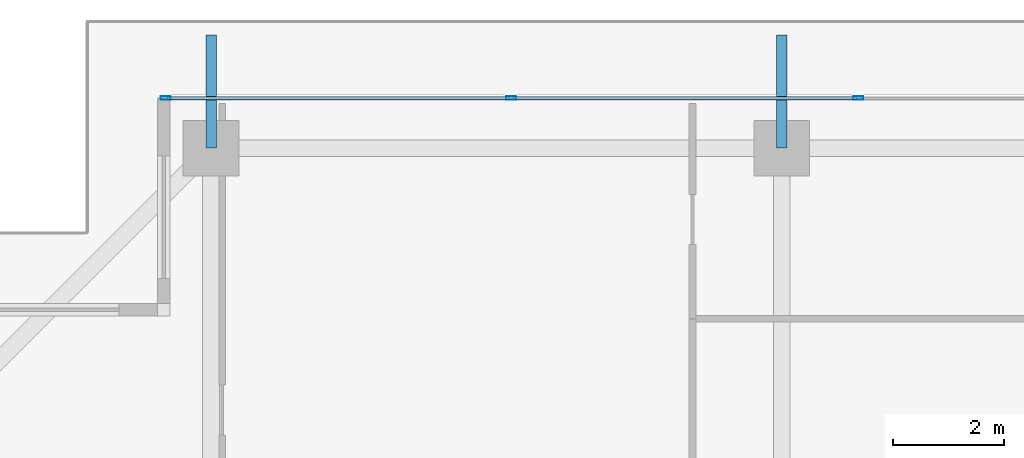
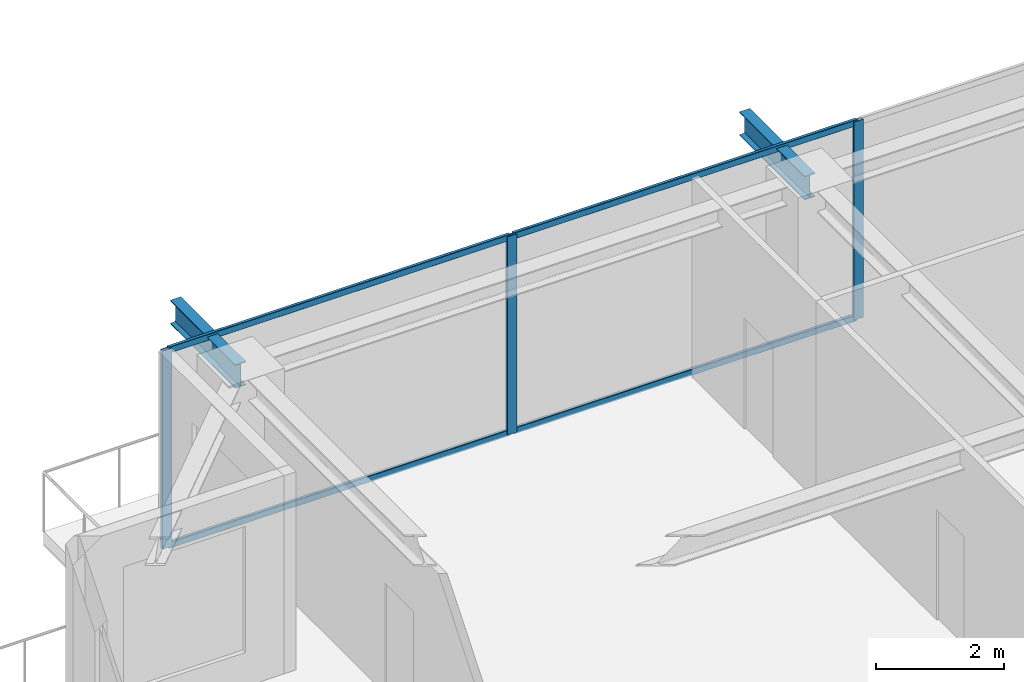
# One storey, part 23 of 42: 7 members, 2 beams, 1 element without a shape of its own.
"""IFC4 building model written with IfcOpenShell, lengths in metres."""

import ifcopenshell
import ifcopenshell.guid

model = None  # the IFC model being written
_history = None  # IfcOwnerHistory: only IFC2X3 demands one
_inside = {}  # id of a spatial element -> (the spatial element, [elements in it])
_under = {}  # id of a project, library or spatial element -> (it, [spatial elements below it])
_declared = {}  # id of a project -> (the project, [libraries it declares])
_typed = {}  # id of a type object -> (the type object, [elements of that type])
_made_of = {}  # id of a material, layer set ... -> (it, [elements and type objects made of it])


def new_model(schema):
    """Start an empty IFC model of exactly this schema.

    Asked for "IFC4X3", IfcOpenShell would pick the latest addendum, in which some entities
    have other attributes; the version numbers below select the first issue.
    IFC2X3 requires an IfcOwnerHistory on every rooted entity: one is made here for all.
    """
    global model, _history
    if schema == "IFC4X3":
        model = ifcopenshell.file(schema_version=(4, 3, 0, 0))
    else:
        model = ifcopenshell.file(schema=schema)
    _inside.clear()
    _under.clear()
    _declared.clear()
    _typed.clear()
    _made_of.clear()
    _history = None
    if model.schema == "IFC2X3":
        org = make("IfcOrganization", Name="unknown")
        user = make(
            "IfcPersonAndOrganization",
            ThePerson=make("IfcPerson", FamilyName="unknown"),
            TheOrganization=org,
        )
        app = make(
            "IfcApplication",
            ApplicationDeveloper=org,
            Version="unknown",
            ApplicationFullName="unknown",
            ApplicationIdentifier="unknown",
        )
        _history = make(
            "IfcOwnerHistory",
            OwningUser=user,
            OwningApplication=app,
            ChangeAction="ADDED",
            CreationDate=0,
        )
    return model


def make(cls, **values):
    """One entity of the class cls with the attributes given. An attribute that is None is left unset."""
    return model.create_entity(
        cls, **{name: value for name, value in values.items() if value is not None}
    )


def rooted(cls, **values):
    """An entity with a GlobalId (a new one), such as an element, a storey or a relation."""
    return make(cls, GlobalId=ifcopenshell.guid.new(), OwnerHistory=_history, **values)


def si_unit(unit_type, name, prefix=None):
    """IfcSIUnit, for example si_unit("LENGTHUNIT", "METRE", prefix="MILLI")."""
    return make("IfcSIUnit", UnitType=unit_type, Prefix=prefix, Name=name)


def assignment(units):
    """IfcUnitAssignment: the units of a project."""
    return None if units is None else make("IfcUnitAssignment", Units=units)


def point(xyz):
    """IfcCartesianPoint."""
    return None if xyz is None else make("IfcCartesianPoint", Coordinates=xyz)


def direction(xyz):
    """IfcDirection."""
    return None if xyz is None else make("IfcDirection", DirectionRatios=xyz)


def frame(location, z_axis=None, x_axis=None):
    """IfcAxis2Placement3D, a coordinate frame: its origin and axes. An axis left out is left unset."""
    return make(
        "IfcAxis2Placement3D",
        Location=point(location),
        Axis=direction(z_axis),
        RefDirection=direction(x_axis),
    )


def frame_2d(location, x_axis=None):
    """IfcAxis2Placement2D, a coordinate frame in the plane: its origin and x axis."""
    return make(
        "IfcAxis2Placement2D", Location=point(location), RefDirection=direction(x_axis)
    )


def origin():
    """The frame at (0, 0, 0) with its axes left unset."""
    return frame((0.0, 0.0, 0.0))


def origin_2d():
    """The frame at (0, 0) in the plane with its x axis left unset."""
    return frame_2d((0.0, 0.0))


def place(relative_to, where):
    """IfcLocalPlacement: puts the frame where relative to a parent placement (None: the world)."""
    return make(
        "IfcLocalPlacement", PlacementRelTo=relative_to, RelativePlacement=where
    )


def context(
    kind, dimensions, precision=None, world=None, true_north=None, identifier=None
):
    """IfcGeometricRepresentationContext, for example the 3D "Model" context."""
    return make(
        "IfcGeometricRepresentationContext",
        ContextIdentifier=identifier,
        ContextType=kind,
        CoordinateSpaceDimension=dimensions,
        Precision=precision,
        WorldCoordinateSystem=world,
        TrueNorth=true_north,
    )


def subcontext(parent, identifier, kind, view, scale=None):
    """IfcGeometricRepresentationSubContext, for example "Body" below "Model"."""
    return make(
        "IfcGeometricRepresentationSubContext",
        ContextIdentifier=identifier,
        ContextType=kind,
        ParentContext=parent,
        TargetScale=scale,
        TargetView=view,
    )


def project(units=None, contexts=None):
    """IfcProject with its units and contexts."""
    return rooted(
        "IfcProject",
        Name="project",
        RepresentationContexts=contexts,
        UnitsInContext=assignment(units),
    )


def spatial(cls, under=None, at=None, **own):
    """A site, building, storey or space (cls), placed at a placement, below another one or the project."""
    s = rooted(cls, ObjectPlacement=at, **own)
    if under is not None:
        _under.setdefault(under.id(), (under, []))[1].append(s)
    return s


def profile(cls, at=None, kind="AREA", **sizes):
    """A parametric profile (cls). Its sizes go by their IFC names, for example OverallWidth=200.0."""
    return make(cls, ProfileType=kind, Position=at, **sizes)


def hollow_rectangle(**sizes):
    """IfcRectangleHollowProfileDef."""
    return profile("IfcRectangleHollowProfileDef", **sizes)


def i_section(**sizes):
    """IfcIShapeProfileDef."""
    return profile("IfcIShapeProfileDef", **sizes)


def extrude(swept, where, along, depth):
    """IfcExtrudedAreaSolid: the profile swept, set in the frame where, extruded along a direction by depth."""
    return make(
        "IfcExtrudedAreaSolid",
        SweptArea=swept,
        Position=where,
        ExtrudedDirection=direction(along),
        Depth=depth,
    )


def shape(context_of_items, identifier, shape_type, items):
    """IfcShapeRepresentation: the items that make up one representation, for example the "Body"."""
    return make(
        "IfcShapeRepresentation",
        ContextOfItems=context_of_items,
        RepresentationIdentifier=identifier,
        RepresentationType=shape_type,
        Items=items,
    )


def source(mapping_origin, context_of_items, identifier, shape_type, items):
    """IfcRepresentationMap: a shape defined once, which mapped items show again and again."""
    return make(
        "IfcRepresentationMap",
        MappingOrigin=mapping_origin,
        MappedRepresentation=shape(context_of_items, identifier, shape_type, items),
    )


def transform(
    local_origin,
    x_axis=None,
    y_axis=None,
    z_axis=None,
    scale=None,
    scale2=None,
    scale3=None,
    uniform=True,
):
    """IfcCartesianTransformationOperator3D, or its non-uniform kind. x_axis, y_axis, z_axis: its Axis1, 2, 3."""
    if uniform:
        return make(
            "IfcCartesianTransformationOperator3D",
            Axis1=direction(x_axis),
            Axis2=direction(y_axis),
            LocalOrigin=point(local_origin),
            Scale=scale,
            Axis3=direction(z_axis),
        )
    return make(
        "IfcCartesianTransformationOperator3DnonUniform",
        Axis1=direction(x_axis),
        Axis2=direction(y_axis),
        LocalOrigin=point(local_origin),
        Scale=scale,
        Axis3=direction(z_axis),
        Scale2=scale2,
        Scale3=scale3,
    )


def mapped(mapping_source, mapping_target):
    """IfcMappedItem: shows the shape of a source again, moved by a transform."""
    return make(
        "IfcMappedItem", MappingSource=mapping_source, MappingTarget=mapping_target
    )


def material(Name=None, Category=None):
    """IfcMaterial."""
    return make("IfcMaterial", Name=Name, Category=Category)


def layer(
    of_material, thickness, ventilated=None, Name=None, Category=None, Priority=None
):
    """IfcMaterialLayer: one layer of a wall or slab, of a material (None: an air gap)."""
    return make(
        "IfcMaterialLayer",
        Material=of_material,
        LayerThickness=thickness,
        IsVentilated=ventilated,
        Name=Name,
        Category=Category,
        Priority=Priority,
    )


def layer_set(layers, Name=None):
    """IfcMaterialLayerSet."""
    return make("IfcMaterialLayerSet", MaterialLayers=layers, LayerSetName=Name)


def material_profile(
    of_material, cross_section, Name=None, Category=None, Priority=None
):
    """IfcMaterialProfile: a cross section and its material."""
    return make(
        "IfcMaterialProfile",
        Name=Name,
        Material=of_material,
        Profile=cross_section,
        Priority=Priority,
        Category=Category,
    )


def profile_set(profiles, Name=None, composite=None):
    """IfcMaterialProfileSet."""
    return make(
        "IfcMaterialProfileSet",
        Name=Name,
        MaterialProfiles=profiles,
        CompositeProfile=composite,
    )


def made_of(thing, what):
    """Note that an element or type object is made of a material, layer set ...; save() writes the relation."""
    if what is not None:
        _made_of.setdefault(what.id(), (what, []))[1].append(thing)
    return thing


def type_object(cls, material=None, **own):
    """A type object (cls), such as IfcWallType, which elements share."""
    return made_of(rooted(cls, **own), material)


def element(
    cls,
    number,
    at=None,
    inside=None,
    cuts=None,
    type_object=None,
    material=None,
    context=None,
    identifier="Body",
    shape_type=None,
    held_by="IfcProductDefinitionShape",
    body=None,
    shapes=None,
    **own,
):
    """One element of the class cls, such as IfcWall. Its Tag is "e" and its number.

    at: its placement. inside: the storey or other place that contains it. cuts: it is an
    opening in that element (IfcRelVoidsElement). A single representation is given by context,
    identifier, shape_type and body (its items); several are given by shapes. held_by: the class
    of the entity that holds the representations. save() writes the other relations.
    """
    e = rooted(cls, Tag="e%d" % number, ObjectPlacement=at, **own)
    if body is not None:
        shapes = [shape(context, identifier, shape_type, body)]
    if shapes is not None:
        e.Representation = make(held_by, Representations=shapes)
    if inside is not None:
        _inside.setdefault(inside.id(), (inside, []))[1].append(e)
    if cuts is not None:
        rooted(
            "IfcRelVoidsElement", RelatingBuildingElement=cuts, RelatedOpeningElement=e
        )
    if type_object is not None:
        _typed.setdefault(type_object.id(), (type_object, []))[1].append(e)
    return made_of(e, material)


def aggregate(whole, parts):
    """IfcRelAggregates: a whole, such as a stair, and the parts it consists of."""
    return rooted("IfcRelAggregates", RelatingObject=whole, RelatedObjects=parts)


def save(model, path):
    """Write the relations noted so far, then the file.

    IfcRelAggregates (storeys below a building ...), IfcRelContainedInSpatialStructure (elements
    in a storey), IfcRelDefinesByType, IfcRelAssociatesMaterial and IfcRelDeclares: one each for
    every whole, place, type object, material and project.
    """
    for whole, parts in _under.values():
        aggregate(whole, parts)
    for where, things in _inside.values():
        rooted(
            "IfcRelContainedInSpatialStructure",
            RelatedElements=things,
            RelatingStructure=where,
        )
    for kind, things in _typed.values():
        rooted("IfcRelDefinesByType", RelatedObjects=things, RelatingType=kind)
    for what, things in _made_of.values():
        rooted("IfcRelAssociatesMaterial", RelatedObjects=things, RelatingMaterial=what)
    for by, libraries in _declared.values():
        rooted("IfcRelDeclares", RelatingContext=by, RelatedDefinitions=libraries)
    model.write(path)


model = new_model("IFC4")

# Units and contexts
model_context = context("Model", 3, precision=1e-05, world=origin(), true_north=direction((0.0, 1.0)))
body_context = subcontext(model_context, "Body", "Model", "MODEL_VIEW")
ifc_project = project(units=[si_unit("LENGTHUNIT", "METRE"), si_unit("AREAUNIT", "SQUARE_METRE"), si_unit("VOLUMEUNIT", "CUBIC_METRE"), si_unit("PLANEANGLEUNIT", "RADIAN"), si_unit("MASSUNIT", "GRAM", prefix="KILO")], contexts=[model_context])

# Site, building, storey
site_placement = place(None, origin())
site = spatial("IfcSite", under=ifc_project, at=site_placement, CompositionType="ELEMENT")
building_placement = place(site_placement, origin())
building = spatial("IfcBuilding", under=site, at=building_placement, Name="Serunith Strait Residences", CompositionType="ELEMENT")
storey_placement = place(building_placement, frame((0.0, 0.0, 293.449951171875)))
storey = spatial("IfcBuildingStorey", under=building, at=storey_placement, Name="L73", CompositionType="ELEMENT", Elevation=293.449951171875)

# Beams
ifc_material_1 = material(Name="Steel S355J2", Category="steel")
ifc_material_profile_1 = material_profile(ifc_material_1, i_section(OverallWidth=0.18994140625, OverallDepth=0.449951171875, WebThickness=0.009521484375, FlangeThickness=0.0146484375, FilletRadius=0.02099609375, at=origin_2d()), Name="IPE 450")
ifc_profile_set_1 = profile_set([ifc_material_profile_1], Name="Steel S355J2")
beam_type = type_object("IfcBeamType", Name="BM-IPE450", PredefinedType="JOIST", material=ifc_profile_set_1)
shared_shape_1 = source(origin(), body_context, "Body", "SweptSolid", [
    extrude(i_section(OverallWidth=0.18994140625, OverallDepth=0.449951171875, WebThickness=0.009521484375, FlangeThickness=0.0146484375, FilletRadius=0.02099609375, at=origin_2d()), origin(), (0.0, 0.0, 1.0), 2.02978515625),
])
for number, where, z_axis, x_axis, name in (
    (1, (17.64990234375, 47.10009765625, 3.531982421875), (0.0, 1.0, 0.0), (-1.0, 0.0, 0.0), "L74 Cantilevered Balcony Rib TC-N1"),
    (2, (27.89990234375, 47.10009765625, 3.531982421875), (0.0, 1.0, 0.0), (-1.0, 0.0, 0.0), "L74 Cantilevered Balcony Rib TC-N2"),
):
    element("IfcBeam", number, at=place(storey_placement, frame(where, z_axis=z_axis, x_axis=x_axis)), inside=storey, type_object=beam_type, Name=name, PredefinedType="JOIST", context=body_context, shape_type="MappedRepresentation", body=[
        mapped(shared_shape_1, transform((0.0, 0.0, 0.0), scale=1.0)),
    ])

# Curtain wall, members
ifc_material_2 = material(Name="Brushed Stainless-Silver Aluminium", Category="aluminium")
ifc_layer = layer(ifc_material_2, 0.199951171875, Name="Brushed Stainless-Silver Aluminium")
ifc_layer_set = layer_set([ifc_layer], Name="Brushed Stainless-Silver Aluminium")
curtain_wall_type = type_object("IfcCurtainWallType", Name="CW-SYS5", PredefinedType="NOTDEFINED", material=ifc_layer_set)
curtain_wall_placement = place(storey_placement, origin())
curtain_wall = element("IfcCurtainWall", 3, at=curtain_wall_placement, inside=storey, type_object=curtain_wall_type, Name="L73 N Unitised Fritted Curtain Wall", PredefinedType="NOTDEFINED")
ifc_material_profile_2 = material_profile(ifc_material_2, hollow_rectangle(XDim=0.06494140625, YDim=0.179931640625, WallThickness=0.00341796875, InnerFilletRadius=0.00537109375, OuterFilletRadius=0.0087890625, at=origin_2d()), Name="ALU 180x65x3.5")
ifc_profile_set_2 = profile_set([ifc_material_profile_2], Name="Brushed Stainless-Silver Aluminium")
member_type_1 = type_object("IfcMemberType", Name="CW-SYS5-MULL", PredefinedType="MULLION", material=ifc_profile_set_2)
shared_shape_2 = source(origin(), body_context, "Body", "SweptSolid", [
    extrude(hollow_rectangle(XDim=0.06494140625, YDim=0.179931640625, WallThickness=0.00341796875, InnerFilletRadius=0.00537109375, OuterFilletRadius=0.0087890625, at=origin_2d()), origin(), (0.0, 0.0, 1.0), 3.775146484375),
])
member_1_placement = place(storey_placement, frame((29.280029296875, 48.0, 0.0), z_axis=(0.0, 0.0, 1.0), x_axis=(0.0, -1.0, 0.0)))
member_1 = element("IfcMember", 4, at=member_1_placement, type_object=member_type_1, Name="CW-5 mullion 4", PredefinedType="MULLION", context=body_context, shape_type="MappedRepresentation", body=[
    mapped(shared_shape_2, transform((0.0, 0.0, 0.0), scale=1.0)),
])
member_2_placement = place(storey_placement, frame((23.0400390625, 48.0, 0.0), z_axis=(0.0, 0.0, 1.0), x_axis=(0.0, -1.0, 0.0)))
member_2 = element("IfcMember", 5, at=member_2_placement, type_object=member_type_1, Name="CW-5 mullion 5", PredefinedType="MULLION", context=body_context, shape_type="MappedRepresentation", body=[
    mapped(shared_shape_2, transform((0.0, 0.0, 0.0), scale=1.0)),
])
member_3_placement = place(storey_placement, frame((16.83251953125, 48.0, 0.0), z_axis=(0.0, 0.0, 1.0), x_axis=(0.0, -1.0, 0.0)))
member_3 = element("IfcMember", 6, at=member_3_placement, type_object=member_type_1, Name="CW-5 mullion 6", PredefinedType="MULLION", context=body_context, shape_type="MappedRepresentation", body=[
    mapped(shared_shape_2, transform((0.0, 0.0, 0.0), scale=1.0)),
])
ifc_material_profile_3 = material_profile(ifc_material_2, hollow_rectangle(XDim=0.06005859375, YDim=0.1201171875, WallThickness=0.00341796875, InnerFilletRadius=0.00537109375, OuterFilletRadius=0.0087890625, at=origin_2d()), Name="ALU 120x60x3.5")
ifc_profile_set_3 = profile_set([ifc_material_profile_3], Name="Brushed Stainless-Silver Aluminium")
member_type_2 = type_object("IfcMemberType", Name="CW-SYS5-TRAN", PredefinedType="USERDEFINED", material=ifc_profile_set_3)
shared_shape_3 = source(origin(), body_context, "Body", "SweptSolid", [
    extrude(hollow_rectangle(XDim=0.06005859375, YDim=0.1201171875, WallThickness=0.00341796875, InnerFilletRadius=0.00537109375, OuterFilletRadius=0.0087890625, at=origin_2d()), origin(), (0.0, 0.0, 1.0), 6.142578125),
])
member_4_placement = place(storey_placement, frame((23.007568359375, 48.0, 0.030029296875), z_axis=(-1.0, 0.0, 0.0), x_axis=(0.0, -1.0, 0.0)))
member_4 = element("IfcMember", 7, at=member_4_placement, type_object=member_type_2, Name="CW-5 transom 5.1", ObjectType="TRANSOM", PredefinedType="USERDEFINED", context=body_context, shape_type="MappedRepresentation", body=[
    mapped(shared_shape_3, transform((0.0, 0.0, 0.0), scale=1.0)),
])
member_5_placement = place(storey_placement, frame((23.007568359375, 48.0, 3.7451171875), z_axis=(-1.0, 0.0, 0.0), x_axis=(0.0, -1.0, 0.0)))
member_5 = element("IfcMember", 8, at=member_5_placement, type_object=member_type_2, Name="CW-5 transom 5.2", ObjectType="TRANSOM", PredefinedType="USERDEFINED", context=body_context, shape_type="MappedRepresentation", body=[
    mapped(shared_shape_3, transform((0.0, 0.0, 0.0), scale=1.0)),
])
shared_shape_4 = source(origin(), body_context, "Body", "SweptSolid", [
    extrude(hollow_rectangle(XDim=0.06005859375, YDim=0.1201171875, WallThickness=0.00341796875, InnerFilletRadius=0.00537109375, OuterFilletRadius=0.0087890625, at=origin_2d()), origin(), (0.0, 0.0, 1.0), 6.175048828125),
])
member_6_placement = place(storey_placement, frame((29.24755859375, 48.0, 0.030029296875), z_axis=(-1.0, 0.0, 0.0), x_axis=(0.0, -1.0, 0.0)))
member_6 = element("IfcMember", 9, at=member_6_placement, type_object=member_type_2, Name="CW-5 transom 4.1", ObjectType="TRANSOM", PredefinedType="USERDEFINED", context=body_context, shape_type="MappedRepresentation", body=[
    mapped(shared_shape_4, transform((0.0, 0.0, 0.0), scale=1.0)),
])
member_7_placement = place(storey_placement, frame((29.24755859375, 48.0, 3.7451171875), z_axis=(-1.0, 0.0, 0.0), x_axis=(0.0, -1.0, 0.0)))
member_7 = element("IfcMember", 10, at=member_7_placement, type_object=member_type_2, Name="CW-5 transom 4.2", ObjectType="TRANSOM", PredefinedType="USERDEFINED", context=body_context, shape_type="MappedRepresentation", body=[
    mapped(shared_shape_4, transform((0.0, 0.0, 0.0), scale=1.0)),
])
aggregate(curtain_wall, [member_1, member_2, member_3, member_6, member_7, member_4, member_5])

save(model, "model.ifc")
